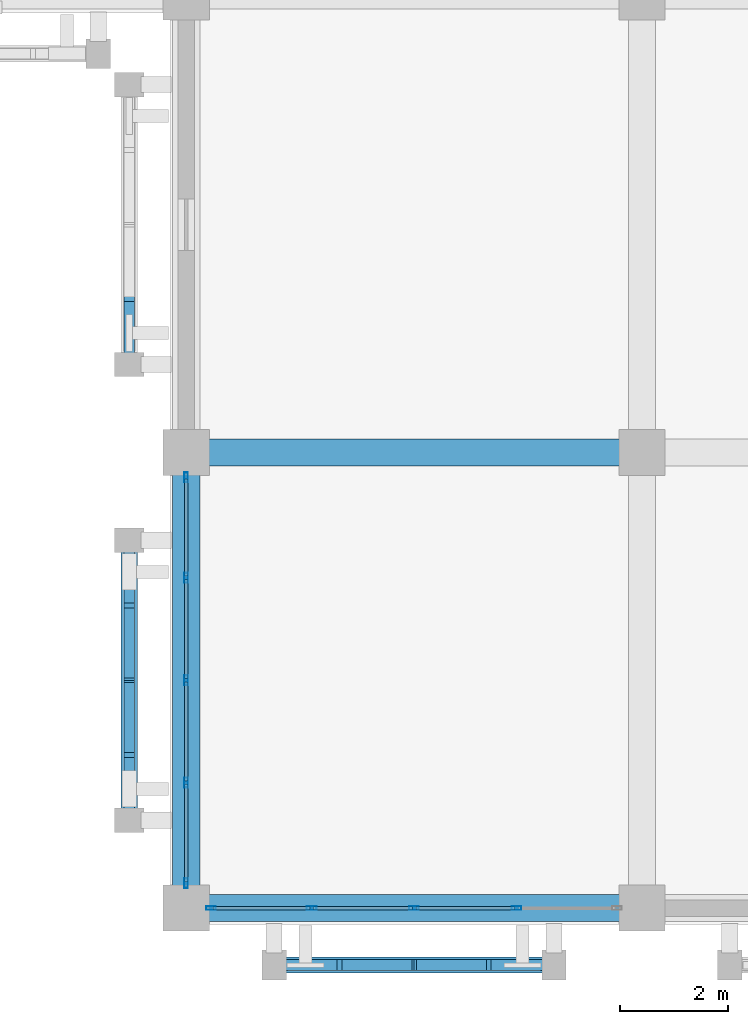
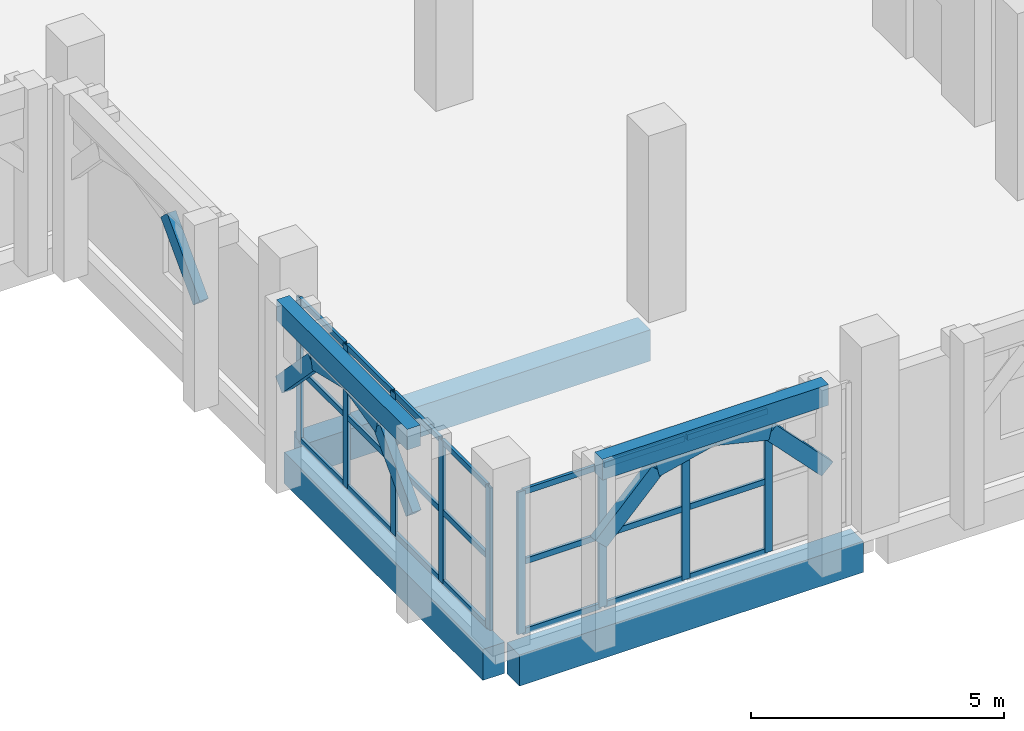
# One storey, part 3 of 137: 39 members, 5 beams, 2 elements without a shape of their own.
"""IFC4 building model written with IfcOpenShell, lengths in metres."""

from ifc_helpers import new_model, si_unit, direction, frame, origin, origin_2d, place, context, subcontext, project, spatial, rectangle, hollow_rectangle, extrude, material, layer, layer_set, material_profile, profile_set, type_object, element, aggregate, save


model = new_model("IFC4")

# Units and contexts
model_context = context("Model", 3, precision=1e-05, world=origin(), true_north=direction((0.0, 1.0)))
body_context = subcontext(model_context, "Body", "Model", "MODEL_VIEW")
ifc_project = project(units=[si_unit("LENGTHUNIT", "METRE"), si_unit("AREAUNIT", "SQUARE_METRE"), si_unit("VOLUMEUNIT", "CUBIC_METRE"), si_unit("PLANEANGLEUNIT", "RADIAN"), si_unit("MASSUNIT", "GRAM", prefix="KILO")], contexts=[model_context])

# Site, building, storey
site_placement = place(None, origin())
site = spatial("IfcSite", under=ifc_project, at=site_placement, CompositionType="ELEMENT")
building_placement = place(site_placement, origin())
building = spatial("IfcBuilding", under=site, at=building_placement, Name="Xazarin Passage Department Store", CompositionType="ELEMENT")
storey_placement = place(building_placement, frame((0.0, 0.0, 5.39990234375)))
storey = spatial("IfcBuildingStorey", under=building, at=storey_placement, Name="L01", CompositionType="ELEMENT", Elevation=5.39990234375)

# Curtain wall, members
ifc_material_1 = material(Name="Bronze anodised aluminium", Category="aluminium")
ifc_layer = layer(ifc_material_1, 0.18994140625)
ifc_layer_set = layer_set([ifc_layer], Name="Bronze anodised aluminium")
curtain_wall_type = type_object("IfcCurtainWallType", Name="ARC-CW-FDH1", PredefinedType="NOTDEFINED", material=ifc_layer_set)
curtain_wall_1_placement = place(storey_placement, origin())
curtain_wall_1 = element("IfcCurtainWall", 1, at=curtain_wall_1_placement, inside=storey, type_object=curtain_wall_type, Name="L01 V3 Curtain Wall 123", PredefinedType="NOTDEFINED")
ifc_material_profile_1 = material_profile(ifc_material_1, hollow_rectangle(XDim=0.06494140625, YDim=0.179931640625, WallThickness=0.00390625, at=origin_2d()), Name="ALU 65x180")
ifc_profile_set_1 = profile_set([ifc_material_profile_1], Name="Bronze anodised aluminium")
member_type_1 = type_object("IfcMemberType", Name="ARC-CWM-65x180", PredefinedType="MULLION", material=ifc_profile_set_1)
member_1_placement = place(storey_placement, frame((8.857421875, 0.0, 0.0), z_axis=(0.0, 0.0, 1.0), x_axis=(0.0, 1.0, 0.0)))
member_1 = element("IfcMember", 2, at=member_1_placement, type_object=member_type_1, Name="CW5 mullion 1", PredefinedType="MULLION", context=body_context, shape_type="SweptSolid", body=[
    extrude(hollow_rectangle(XDim=0.06494140625, YDim=0.179931640625, WallThickness=0.00390625, at=origin_2d()), origin(), (0.0, 0.0, 1.0), 3.43017578125),
])
member_2_placement = place(storey_placement, frame((10.71240234375, 0.0, 0.0), z_axis=(0.0, 0.0, 1.0), x_axis=(0.0, 1.0, 0.0)))
member_2 = element("IfcMember", 3, at=member_2_placement, type_object=member_type_1, Name="CW5 mullion 2", PredefinedType="MULLION", context=body_context, shape_type="SweptSolid", body=[
    extrude(hollow_rectangle(XDim=0.06494140625, YDim=0.179931640625, WallThickness=0.00390625, at=origin_2d()), origin(), (0.0, 0.0, 1.0), 3.43017578125),
])
member_3_placement = place(storey_placement, frame((12.60009765625, 0.0, 0.0), z_axis=(0.0, 0.0, 1.0), x_axis=(0.0, 1.0, 0.0)))
member_3 = element("IfcMember", 4, at=member_3_placement, type_object=member_type_1, Name="CW5 mullion 3", PredefinedType="MULLION", context=body_context, shape_type="SweptSolid", body=[
    extrude(hollow_rectangle(XDim=0.06494140625, YDim=0.179931640625, WallThickness=0.00390625, at=origin_2d()), origin(), (0.0, 0.0, 1.0), 3.43017578125),
])
member_4_placement = place(storey_placement, frame((14.487548828125, 0.0, 0.0), z_axis=(0.0, 0.0, 1.0), x_axis=(0.0, 1.0, 0.0)))
member_4 = element("IfcMember", 5, at=member_4_placement, type_object=member_type_1, Name="CW5 mullion 4", PredefinedType="MULLION", context=body_context, shape_type="SweptSolid", body=[
    extrude(hollow_rectangle(XDim=0.06494140625, YDim=0.179931640625, WallThickness=0.00390625, at=origin_2d()), origin(), (0.0, 0.0, 1.0), 3.43017578125),
])

curtain_wall_2_placement = place(storey_placement, origin())
curtain_wall_2 = element("IfcCurtainWall", 6, at=curtain_wall_2_placement, inside=storey, type_object=curtain_wall_type, Name="L01 V3 Curtain Wall 129", PredefinedType="NOTDEFINED")
member_5_placement = place(storey_placement, frame((8.39990234375, 0.45751953125, 0.0), z_axis=(0.0, 0.0, 1.0), x_axis=(-1.0, 0.0, 0.0)))
member_5 = element("IfcMember", 7, at=member_5_placement, type_object=member_type_1, Name="CW5 mullion 1", PredefinedType="MULLION", context=body_context, shape_type="SweptSolid", body=[
    extrude(hollow_rectangle(XDim=0.06494140625, YDim=0.179931640625, WallThickness=0.00390625, at=origin_2d()), origin(), (0.0, 0.0, 1.0), 3.43017578125),
])
member_6_placement = place(storey_placement, frame((8.39990234375, 2.3125, 0.0), z_axis=(0.0, 0.0, 1.0), x_axis=(-1.0, 0.0, 0.0)))
member_6 = element("IfcMember", 8, at=member_6_placement, type_object=member_type_1, Name="CW5 mullion 2", PredefinedType="MULLION", context=body_context, shape_type="SweptSolid", body=[
    extrude(hollow_rectangle(XDim=0.06494140625, YDim=0.179931640625, WallThickness=0.00390625, at=origin_2d()), origin(), (0.0, 0.0, 1.0), 3.43017578125),
])
member_7_placement = place(storey_placement, frame((8.39990234375, 4.199951171875, 0.0), z_axis=(0.0, 0.0, 1.0), x_axis=(-1.0, 0.0, 0.0)))
member_7 = element("IfcMember", 9, at=member_7_placement, type_object=member_type_1, Name="CW5 mullion 3", PredefinedType="MULLION", context=body_context, shape_type="SweptSolid", body=[
    extrude(hollow_rectangle(XDim=0.06494140625, YDim=0.179931640625, WallThickness=0.00390625, at=origin_2d()), origin(), (0.0, 0.0, 1.0), 3.43017578125),
])
member_8_placement = place(storey_placement, frame((8.39990234375, 6.08740234375, 0.0), z_axis=(0.0, 0.0, 1.0), x_axis=(-1.0, 0.0, 0.0)))
member_8 = element("IfcMember", 10, at=member_8_placement, type_object=member_type_1, Name="CW5 mullion 4", PredefinedType="MULLION", context=body_context, shape_type="SweptSolid", body=[
    extrude(hollow_rectangle(XDim=0.06494140625, YDim=0.179931640625, WallThickness=0.00390625, at=origin_2d()), origin(), (0.0, 0.0, 1.0), 3.43017578125),
])
member_9_placement = place(storey_placement, frame((8.39990234375, 7.9423828125, 0.0), z_axis=(0.0, 0.0, 1.0), x_axis=(-1.0, 0.0, 0.0)))
member_9 = element("IfcMember", 11, at=member_9_placement, type_object=member_type_1, Name="CW5 mullion 5", PredefinedType="MULLION", context=body_context, shape_type="SweptSolid", body=[
    extrude(hollow_rectangle(XDim=0.06494140625, YDim=0.179931640625, WallThickness=0.00390625, at=origin_2d()), origin(), (0.0, 0.0, 1.0), 3.43017578125),
])

# Member
ifc_material_profile_2 = material_profile(ifc_material_1, hollow_rectangle(XDim=0.06494140625, YDim=0.139892578125, WallThickness=0.00390625, at=origin_2d()), Name="ALU 65x140")
ifc_profile_set_2 = profile_set([ifc_material_profile_2], Name="Bronze anodised aluminium")
member_type_2 = type_object("IfcMemberType", Name="ARC-CWT-65x140", PredefinedType="USERDEFINED", material=ifc_profile_set_2)
member_10_placement = place(storey_placement, frame((8.889892578125, 0.0, 0.03271484375), z_axis=(1.0, 0.0, 0.0), x_axis=(0.0, 1.0, 0.0)))
member_10 = element("IfcMember", 12, at=member_10_placement, type_object=member_type_2, Name="CW5 transom 1.1", ObjectType="TRANSOM", PredefinedType="USERDEFINED", context=body_context, shape_type="SweptSolid", body=[
    extrude(hollow_rectangle(XDim=0.06494140625, YDim=0.139892578125, WallThickness=0.00390625, at=origin_2d()), origin(), (0.0, 0.0, 1.0), 1.7900390625),
])

member_11_placement = place(storey_placement, frame((8.889892578125, 0.0, 1.715087890625), z_axis=(1.0, 0.0, 0.0), x_axis=(0.0, 1.0, 0.0)))
member_11 = element("IfcMember", 13, at=member_11_placement, type_object=member_type_2, Name="CW5 transom 1.2", ObjectType="TRANSOM", PredefinedType="USERDEFINED", context=body_context, shape_type="SweptSolid", body=[
    extrude(hollow_rectangle(XDim=0.06494140625, YDim=0.139892578125, WallThickness=0.00390625, at=origin_2d()), origin(), (0.0, 0.0, 1.0), 1.7900390625),
])

member_12_placement = place(storey_placement, frame((8.889892578125, 0.0, 3.397705078125), z_axis=(1.0, 0.0, 0.0), x_axis=(0.0, 1.0, 0.0)))
member_12 = element("IfcMember", 14, at=member_12_placement, type_object=member_type_2, Name="CW5 transom 1.3", ObjectType="TRANSOM", PredefinedType="USERDEFINED", context=body_context, shape_type="SweptSolid", body=[
    extrude(hollow_rectangle(XDim=0.06494140625, YDim=0.139892578125, WallThickness=0.00390625, at=origin_2d()), origin(), (0.0, 0.0, 1.0), 1.7900390625),
])

member_13_placement = place(storey_placement, frame((10.7451171875, 0.0, 0.03271484375), z_axis=(1.0, 0.0, 0.0), x_axis=(0.0, 1.0, 0.0)))
member_13 = element("IfcMember", 15, at=member_13_placement, type_object=member_type_2, Name="CW5 transom 2.1", ObjectType="TRANSOM", PredefinedType="USERDEFINED", context=body_context, shape_type="SweptSolid", body=[
    extrude(hollow_rectangle(XDim=0.06494140625, YDim=0.139892578125, WallThickness=0.00390625, at=origin_2d()), origin(), (0.0, 0.0, 1.0), 1.822265625),
])

member_14_placement = place(storey_placement, frame((10.7451171875, 0.0, 1.715087890625), z_axis=(1.0, 0.0, 0.0), x_axis=(0.0, 1.0, 0.0)))
member_14 = element("IfcMember", 16, at=member_14_placement, type_object=member_type_2, Name="CW5 transom 2.2", ObjectType="TRANSOM", PredefinedType="USERDEFINED", context=body_context, shape_type="SweptSolid", body=[
    extrude(hollow_rectangle(XDim=0.06494140625, YDim=0.139892578125, WallThickness=0.00390625, at=origin_2d()), origin(), (0.0, 0.0, 1.0), 1.822265625),
])

member_15_placement = place(storey_placement, frame((10.7451171875, 0.0, 3.397705078125), z_axis=(1.0, 0.0, 0.0), x_axis=(0.0, 1.0, 0.0)))
member_15 = element("IfcMember", 17, at=member_15_placement, type_object=member_type_2, Name="CW5 transom 2.3", ObjectType="TRANSOM", PredefinedType="USERDEFINED", context=body_context, shape_type="SweptSolid", body=[
    extrude(hollow_rectangle(XDim=0.06494140625, YDim=0.139892578125, WallThickness=0.00390625, at=origin_2d()), origin(), (0.0, 0.0, 1.0), 1.822265625),
])

member_16_placement = place(storey_placement, frame((12.632568359375, 0.0, 0.03271484375), z_axis=(1.0, 0.0, 0.0), x_axis=(0.0, 1.0, 0.0)))
member_16 = element("IfcMember", 18, at=member_16_placement, type_object=member_type_2, Name="CW5 transom 3.1", ObjectType="TRANSOM", PredefinedType="USERDEFINED", context=body_context, shape_type="SweptSolid", body=[
    extrude(hollow_rectangle(XDim=0.06494140625, YDim=0.139892578125, WallThickness=0.00390625, at=origin_2d()), origin(), (0.0, 0.0, 1.0), 1.822509765625),
])

member_17_placement = place(storey_placement, frame((12.632568359375, 0.0, 1.715087890625), z_axis=(1.0, 0.0, 0.0), x_axis=(0.0, 1.0, 0.0)))
member_17 = element("IfcMember", 19, at=member_17_placement, type_object=member_type_2, Name="CW5 transom 3.2", ObjectType="TRANSOM", PredefinedType="USERDEFINED", context=body_context, shape_type="SweptSolid", body=[
    extrude(hollow_rectangle(XDim=0.06494140625, YDim=0.139892578125, WallThickness=0.00390625, at=origin_2d()), origin(), (0.0, 0.0, 1.0), 1.822509765625),
])

member_18_placement = place(storey_placement, frame((12.632568359375, 0.0, 3.397705078125), z_axis=(1.0, 0.0, 0.0), x_axis=(0.0, 1.0, 0.0)))
member_18 = element("IfcMember", 20, at=member_18_placement, type_object=member_type_2, Name="CW5 transom 3.3", ObjectType="TRANSOM", PredefinedType="USERDEFINED", context=body_context, shape_type="SweptSolid", body=[
    extrude(hollow_rectangle(XDim=0.06494140625, YDim=0.139892578125, WallThickness=0.00390625, at=origin_2d()), origin(), (0.0, 0.0, 1.0), 1.822509765625),
])

aggregate(curtain_wall_1, [member_1, member_2, member_3, member_4, member_10, member_11, member_12, member_13, member_14, member_15, member_16, member_17, member_18])

member_19_placement = place(storey_placement, frame((8.39990234375, 0.489990234375, 0.03271484375), z_axis=(0.0, 1.0, 0.0), x_axis=(-1.0, 0.0, 0.0)))
member_19 = element("IfcMember", 21, at=member_19_placement, type_object=member_type_2, Name="CW5 transom 1.1", ObjectType="TRANSOM", PredefinedType="USERDEFINED", context=body_context, shape_type="SweptSolid", body=[
    extrude(hollow_rectangle(XDim=0.06494140625, YDim=0.139892578125, WallThickness=0.00390625, at=origin_2d()), origin(), (0.0, 0.0, 1.0), 1.7900390625),
])

member_20_placement = place(storey_placement, frame((8.39990234375, 0.489990234375, 1.715087890625), z_axis=(0.0, 1.0, 0.0), x_axis=(-1.0, 0.0, 0.0)))
member_20 = element("IfcMember", 22, at=member_20_placement, type_object=member_type_2, Name="CW5 transom 1.2", ObjectType="TRANSOM", PredefinedType="USERDEFINED", context=body_context, shape_type="SweptSolid", body=[
    extrude(hollow_rectangle(XDim=0.06494140625, YDim=0.139892578125, WallThickness=0.00390625, at=origin_2d()), origin(), (0.0, 0.0, 1.0), 1.7900390625),
])

member_21_placement = place(storey_placement, frame((8.39990234375, 0.489990234375, 3.397705078125), z_axis=(0.0, 1.0, 0.0), x_axis=(-1.0, 0.0, 0.0)))
member_21 = element("IfcMember", 23, at=member_21_placement, type_object=member_type_2, Name="CW5 transom 1.3", ObjectType="TRANSOM", PredefinedType="USERDEFINED", context=body_context, shape_type="SweptSolid", body=[
    extrude(hollow_rectangle(XDim=0.06494140625, YDim=0.139892578125, WallThickness=0.00390625, at=origin_2d()), origin(), (0.0, 0.0, 1.0), 1.7900390625),
])

member_22_placement = place(storey_placement, frame((8.39990234375, 2.344970703125, 0.03271484375), z_axis=(0.0, 1.0, 0.0), x_axis=(-1.0, 0.0, 0.0)))
member_22 = element("IfcMember", 24, at=member_22_placement, type_object=member_type_2, Name="CW5 transom 2.1", ObjectType="TRANSOM", PredefinedType="USERDEFINED", context=body_context, shape_type="SweptSolid", body=[
    extrude(hollow_rectangle(XDim=0.06494140625, YDim=0.139892578125, WallThickness=0.00390625, at=origin_2d()), origin(), (0.0, 0.0, 1.0), 1.822509765625),
])

member_23_placement = place(storey_placement, frame((8.39990234375, 2.344970703125, 1.715087890625), z_axis=(0.0, 1.0, 0.0), x_axis=(-1.0, 0.0, 0.0)))
member_23 = element("IfcMember", 25, at=member_23_placement, type_object=member_type_2, Name="CW5 transom 2.2", ObjectType="TRANSOM", PredefinedType="USERDEFINED", context=body_context, shape_type="SweptSolid", body=[
    extrude(hollow_rectangle(XDim=0.06494140625, YDim=0.139892578125, WallThickness=0.00390625, at=origin_2d()), origin(), (0.0, 0.0, 1.0), 1.822509765625),
])

member_24_placement = place(storey_placement, frame((8.39990234375, 2.344970703125, 3.397705078125), z_axis=(0.0, 1.0, 0.0), x_axis=(-1.0, 0.0, 0.0)))
member_24 = element("IfcMember", 26, at=member_24_placement, type_object=member_type_2, Name="CW5 transom 2.3", ObjectType="TRANSOM", PredefinedType="USERDEFINED", context=body_context, shape_type="SweptSolid", body=[
    extrude(hollow_rectangle(XDim=0.06494140625, YDim=0.139892578125, WallThickness=0.00390625, at=origin_2d()), origin(), (0.0, 0.0, 1.0), 1.822509765625),
])

member_25_placement = place(storey_placement, frame((8.39990234375, 4.232421875, 0.03271484375), z_axis=(0.0, 1.0, 0.0), x_axis=(-1.0, 0.0, 0.0)))
member_25 = element("IfcMember", 27, at=member_25_placement, type_object=member_type_2, Name="CW5 transom 3.1", ObjectType="TRANSOM", PredefinedType="USERDEFINED", context=body_context, shape_type="SweptSolid", body=[
    extrude(hollow_rectangle(XDim=0.06494140625, YDim=0.139892578125, WallThickness=0.00390625, at=origin_2d()), origin(), (0.0, 0.0, 1.0), 1.822509765625),
])

member_26_placement = place(storey_placement, frame((8.39990234375, 4.232421875, 1.715087890625), z_axis=(0.0, 1.0, 0.0), x_axis=(-1.0, 0.0, 0.0)))
member_26 = element("IfcMember", 28, at=member_26_placement, type_object=member_type_2, Name="CW5 transom 3.2", ObjectType="TRANSOM", PredefinedType="USERDEFINED", context=body_context, shape_type="SweptSolid", body=[
    extrude(hollow_rectangle(XDim=0.06494140625, YDim=0.139892578125, WallThickness=0.00390625, at=origin_2d()), origin(), (0.0, 0.0, 1.0), 1.822509765625),
])

member_27_placement = place(storey_placement, frame((8.39990234375, 4.232421875, 3.397705078125), z_axis=(0.0, 1.0, 0.0), x_axis=(-1.0, 0.0, 0.0)))
member_27 = element("IfcMember", 29, at=member_27_placement, type_object=member_type_2, Name="CW5 transom 3.3", ObjectType="TRANSOM", PredefinedType="USERDEFINED", context=body_context, shape_type="SweptSolid", body=[
    extrude(hollow_rectangle(XDim=0.06494140625, YDim=0.139892578125, WallThickness=0.00390625, at=origin_2d()), origin(), (0.0, 0.0, 1.0), 1.822509765625),
])

member_28_placement = place(storey_placement, frame((8.39990234375, 6.1201171875, 0.03271484375), z_axis=(0.0, 1.0, 0.0), x_axis=(-1.0, 0.0, 0.0)))
member_28 = element("IfcMember", 30, at=member_28_placement, type_object=member_type_2, Name="CW5 transom 4.1", ObjectType="TRANSOM", PredefinedType="USERDEFINED", context=body_context, shape_type="SweptSolid", body=[
    extrude(hollow_rectangle(XDim=0.06494140625, YDim=0.139892578125, WallThickness=0.00390625, at=origin_2d()), origin(), (0.0, 0.0, 1.0), 1.789794921875),
])

member_29_placement = place(storey_placement, frame((8.39990234375, 6.1201171875, 1.715087890625), z_axis=(0.0, 1.0, 0.0), x_axis=(-1.0, 0.0, 0.0)))
member_29 = element("IfcMember", 31, at=member_29_placement, type_object=member_type_2, Name="CW5 transom 4.2", ObjectType="TRANSOM", PredefinedType="USERDEFINED", context=body_context, shape_type="SweptSolid", body=[
    extrude(hollow_rectangle(XDim=0.06494140625, YDim=0.139892578125, WallThickness=0.00390625, at=origin_2d()), origin(), (0.0, 0.0, 1.0), 1.789794921875),
])

member_30_placement = place(storey_placement, frame((8.39990234375, 6.1201171875, 3.397705078125), z_axis=(0.0, 1.0, 0.0), x_axis=(-1.0, 0.0, 0.0)))
member_30 = element("IfcMember", 32, at=member_30_placement, type_object=member_type_2, Name="CW5 transom 4.3", ObjectType="TRANSOM", PredefinedType="USERDEFINED", context=body_context, shape_type="SweptSolid", body=[
    extrude(hollow_rectangle(XDim=0.06494140625, YDim=0.139892578125, WallThickness=0.00390625, at=origin_2d()), origin(), (0.0, 0.0, 1.0), 1.789794921875),
])

aggregate(curtain_wall_2, [member_5, member_6, member_7, member_8, member_9, member_19, member_20, member_21, member_22, member_23, member_24, member_25, member_26, member_27, member_28, member_29, member_30])

# Beams
ifc_material_2 = material(Name="Concrete C35/45", Category="concrete")
ifc_material_profile_3 = material_profile(ifc_material_2, rectangle(XDim=0.300048828125, YDim=0.5, at=origin_2d()), Name="RC 300x500")
ifc_profile_set_3 = profile_set([ifc_material_profile_3], Name="Concrete C35/45")
beam_type_1 = type_object("IfcBeamType", Name="STR-BM-LN300x500", PredefinedType="LINTEL", material=ifc_profile_set_3)
for number, where, z_axis, x_axis, name in (
    (33, (10.02001953125, -1.050048828125, 4.25), (1.0, 0.0, 0.0), (0.0, 1.0, 0.0), "L01 V3 Colonnade Spandrel Beam 027"),
    (34, (7.35009765625, 1.6201171875, 4.25), (0.0, 1.0, 0.0), (-1.0, 0.0, 0.0), "L01 V3 Colonnade Spandrel Beam 038"),
):
    element("IfcBeam", number, at=place(storey_placement, frame(where, z_axis=z_axis, x_axis=x_axis)), inside=storey, type_object=beam_type_1, Name=name, PredefinedType="LINTEL", context=body_context, shape_type="SweptSolid", body=[
        extrude(rectangle(XDim=0.300048828125, YDim=0.5, at=origin_2d()), origin(), (0.0, 0.0, 1.0), 5.159912109375),
    ])
ifc_material_profile_4 = material_profile(ifc_material_2, rectangle(XDim=0.5, YDim=0.75, at=origin_2d()), Name="RC 500x750")
ifc_profile_set_4 = profile_set([ifc_material_profile_4], Name="Concrete C35/45")
beam_type_2 = type_object("IfcBeamType", Name="STR-BM-SP500x750", PredefinedType="SPANDREL", material=ifc_profile_set_4)
for number, where, z_axis, x_axis, name in (
    (35, (8.679931640625, 0.0, -0.69482421875), (1.0, 0.0, 0.0), (0.0, 1.0, 0.0), "L01 Grid Beam A/2-3"),
    (36, (8.679931640625, 8.39990234375, -0.69482421875), (1.0, 0.0, 0.0), (0.0, 1.0, 0.0), "L01 Grid Beam B/2-3"),
    (37, (8.39990234375, 0.280029296875, -0.69482421875), (0.0, 1.0, 0.0), (-1.0, 0.0, 0.0), "L01 Grid Beam 2/A-B"),
):
    element("IfcBeam", number, at=place(storey_placement, frame(where, z_axis=z_axis, x_axis=x_axis)), inside=storey, type_object=beam_type_2, Name=name, PredefinedType="SPANDREL", context=body_context, shape_type="SweptSolid", body=[
        extrude(rectangle(XDim=0.5, YDim=0.75, at=origin_2d()), origin(), (0.0, 0.0, 1.0), 7.840087890625),
    ])

# Members
ifc_material_3 = material(Name="Concrete C40/50", Category="concrete")
ifc_material_profile_5 = material_profile(ifc_material_3, rectangle(XDim=0.199951171875, YDim=0.360107421875, at=origin_2d()), Name="RC 200x360")
ifc_profile_set_5 = profile_set([ifc_material_profile_5], Name="Concrete C40/50")
member_type_3 = type_object("IfcMemberType", Name="STR-MEM-ARC360", PredefinedType="CHORD", material=ifc_profile_set_5)
member_31_placement = place(storey_placement, frame((10.02001953125, -1.050048828125, 2.43017578125), z_axis=(0.693460080602, 0.0, 0.720495049679), x_axis=(0.0, 1.0, 0.0)))
element("IfcMember", 38, at=member_31_placement, inside=storey, type_object=member_type_3, Name="L01 V3 Pierced Lattice Curved Arch 027.1", PredefinedType="CHORD", context=body_context, shape_type="SweptSolid", body=[
    extrude(rectangle(XDim=0.199951171875, YDim=0.360107421875, at=origin_2d()), origin(), (0.0, 0.0, 1.0), 1.8603515625),
])
member_32_placement = place(storey_placement, frame((11.31005859375, -1.050048828125, 3.7705078125), z_axis=(0.972393983317, 0.0, 0.233345111818), x_axis=(0.0, 1.0, 0.0)))
element("IfcMember", 39, at=member_32_placement, inside=storey, type_object=member_type_3, Name="L01 V3 Pierced Lattice Curved Arch 027.2", PredefinedType="CHORD", context=body_context, shape_type="SweptSolid", body=[
    extrude(rectangle(XDim=0.199951171875, YDim=0.360107421875, at=origin_2d()), origin(), (0.0, 0.0, 1.0), 1.32666015625),
])
member_33_placement = place(storey_placement, frame((12.60009765625, -1.050048828125, 4.080078125), z_axis=(0.972383960415, 0.0, -0.233386875224), x_axis=(0.0, 1.0, 0.0)))
element("IfcMember", 40, at=member_33_placement, inside=storey, type_object=member_type_3, Name="L01 V3 Pierced Lattice Curved Arch 027.3", PredefinedType="CHORD", context=body_context, shape_type="SweptSolid", body=[
    extrude(rectangle(XDim=0.199951171875, YDim=0.360107421875, at=origin_2d()), origin(), (0.0, 0.0, 1.0), 1.326416015625),
])
member_34_placement = place(storey_placement, frame((13.889892578125, -1.050048828125, 3.7705078125), z_axis=(0.693460080602, 0.0, -0.720495049679), x_axis=(0.0, 1.0, 0.0)))
element("IfcMember", 41, at=member_34_placement, inside=storey, type_object=member_type_3, Name="L01 V3 Pierced Lattice Curved Arch 027.4", PredefinedType="CHORD", context=body_context, shape_type="SweptSolid", body=[
    extrude(rectangle(XDim=0.199951171875, YDim=0.360107421875, at=origin_2d()), origin(), (0.0, 0.0, 1.0), 1.8603515625),
])
member_35_placement = place(storey_placement, frame((7.35009765625, 1.6201171875, 2.43017578125), z_axis=(0.0, 0.693391944082, 0.720560623322), x_axis=(-1.0, 0.0, 0.0)))
element("IfcMember", 42, at=member_35_placement, inside=storey, type_object=member_type_3, Name="L01 V3 Pierced Lattice Curved Arch 038.1", PredefinedType="CHORD", context=body_context, shape_type="SweptSolid", body=[
    extrude(rectangle(XDim=0.199951171875, YDim=0.360107421875, at=origin_2d()), origin(), (0.0, 0.0, 1.0), 1.860107421875),
])
for number, where, z_axis, x_axis, name in (
    (43, (7.35009765625, 2.909912109375, 3.7705078125), (0.0, 0.972393983317, 0.233345111818), (-1.0, 0.0, 0.0), "L01 V3 Pierced Lattice Curved Arch 038.2"),
    (44, (7.35009765625, 4.199951171875, 4.080078125), (0.0, 0.972393983317, -0.233345111818), (-1.0, 0.0, 0.0), "L01 V3 Pierced Lattice Curved Arch 038.3"),
):
    element("IfcMember", number, at=place(storey_placement, frame(where, z_axis=z_axis, x_axis=x_axis)), inside=storey, type_object=member_type_3, Name=name, PredefinedType="CHORD", context=body_context, shape_type="SweptSolid", body=[
        extrude(rectangle(XDim=0.199951171875, YDim=0.360107421875, at=origin_2d()), origin(), (0.0, 0.0, 1.0), 1.32666015625),
    ])
for number, where, z_axis, x_axis, name in (
    (45, (7.35009765625, 5.489990234375, 3.7705078125), (0.0, 0.693460080602, -0.720495049679), (-1.0, 0.0, 0.0), "L01 V3 Pierced Lattice Curved Arch 038.4"),
    (46, (7.35009765625, 10.02001953125, 2.43017578125), (0.0, 0.693460080602, 0.720495049679), (-1.0, 0.0, 0.0), "L01 V3 Pierced Lattice Curved Arch 039.1"),
):
    element("IfcMember", number, at=place(storey_placement, frame(where, z_axis=z_axis, x_axis=x_axis)), inside=storey, type_object=member_type_3, Name=name, PredefinedType="CHORD", context=body_context, shape_type="SweptSolid", body=[
        extrude(rectangle(XDim=0.199951171875, YDim=0.360107421875, at=origin_2d()), origin(), (0.0, 0.0, 1.0), 1.8603515625),
    ])

save(model, "model.ifc")
